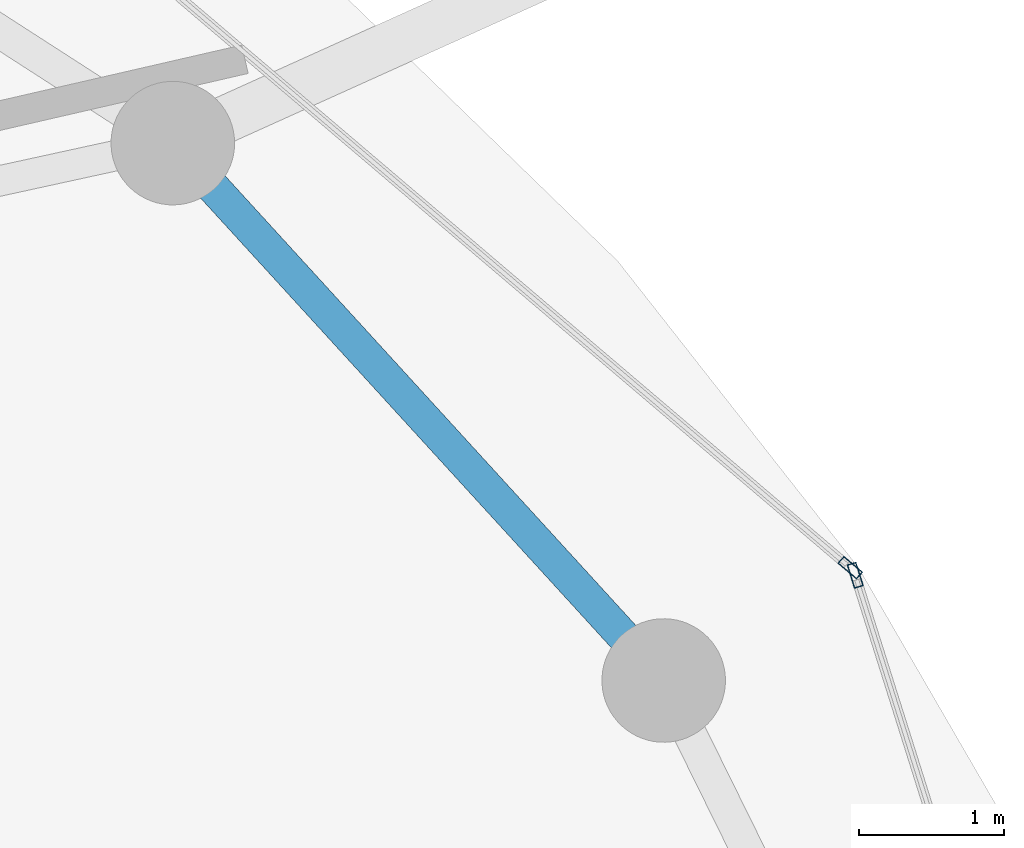
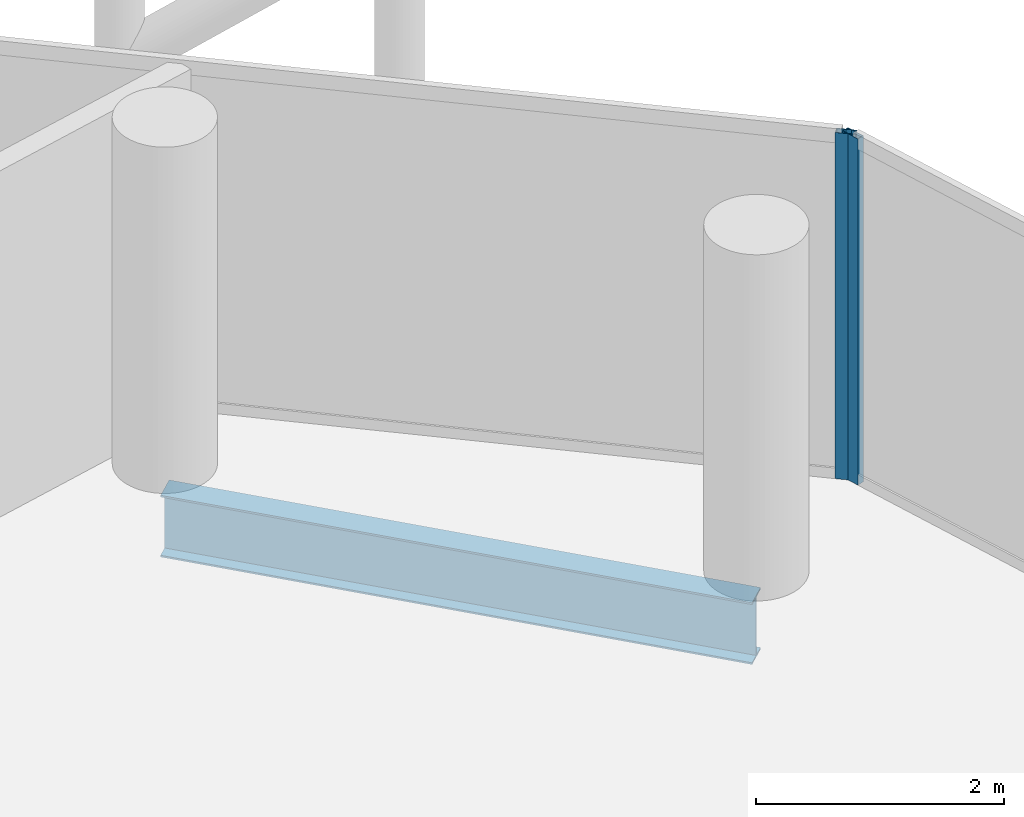
# One storey, part 17 of 27: 2 members, 1 beam, 2 elements without a shape of their own.
"""IFC4 building model written with IfcOpenShell, lengths in metres."""

from ifc_helpers import new_model, si_unit, direction, frame, origin, origin_2d, place, context, subcontext, project, spatial, hollow_rectangle, i_section, extrude, material, layer, layer_set, material_profile, profile_set, type_object, element, aggregate, save


model = new_model("IFC4")

# Units and contexts
model_context = context("Model", 3, precision=1e-05, world=origin(), true_north=direction((0.0, 1.0)))
body_context = subcontext(model_context, "Body", "Model", "MODEL_VIEW")
ifc_project = project(units=[si_unit("LENGTHUNIT", "METRE"), si_unit("AREAUNIT", "SQUARE_METRE"), si_unit("VOLUMEUNIT", "CUBIC_METRE"), si_unit("PLANEANGLEUNIT", "RADIAN"), si_unit("MASSUNIT", "GRAM", prefix="KILO")], contexts=[model_context])

# Site, building, storey
site_placement = place(None, origin())
site = spatial("IfcSite", under=ifc_project, at=site_placement, CompositionType="ELEMENT")
building_placement = place(site_placement, origin())
building = spatial("IfcBuilding", under=site, at=building_placement, Name="Nuhasar Tower", CompositionType="ELEMENT")
storey_placement = place(building_placement, frame((0.0, 0.0, 208.14990234375)))
storey = spatial("IfcBuildingStorey", under=building, at=storey_placement, Name="L50", CompositionType="ELEMENT", Elevation=208.14990234375)

# Beam
ifc_material_1 = material(Name="Steel S355", Category="steel")
ifc_material_profile_1 = material_profile(ifc_material_1, i_section(OverallWidth=0.22802734375, OverallDepth=0.60791015625, WebThickness=0.01123046875, FlangeThickness=0.017333984375, at=origin_2d()), Name="W24X76")
ifc_profile_set_1 = profile_set([ifc_material_profile_1], Name="Steel S355")
beam_type = type_object("IfcBeamType", Name="BM-RING-W24X76", PredefinedType="SPANDREL", material=ifc_profile_set_1)
beam_placement = place(storey_placement, frame((57.403076171875, 35.72509765625, -0.5439453125), z_axis=(-0.674449692975, 0.738320805373, 0.0), x_axis=(-0.738320805373, -0.674449692975, 0.0)))
element("IfcBeam", 1, at=beam_placement, inside=storey, type_object=beam_type, Name="L50 Perimeter Ring Spandrel 03", PredefinedType="SPANDREL", context=body_context, shape_type="SweptSolid", body=[
    extrude(i_section(OverallWidth=0.22802734375, OverallDepth=0.60791015625, WebThickness=0.01123046875, FlangeThickness=0.017333984375, at=origin_2d()), origin(), (0.0, 0.0, 1.0), 5.00732421875),
])

# Curtain wall, member
ifc_material_2 = material(Name="Aluminium 6063-T6", Category="aluminium")
ifc_layer = layer(ifc_material_2, 0.18994140625)
ifc_layer_set = layer_set([ifc_layer], Name="Aluminium 6063-T6")
curtain_wall_type = type_object("IfcCurtainWallType", Name="CW-Z3-RES", PredefinedType="NOTDEFINED", material=ifc_layer_set)
curtain_wall_1_placement = place(storey_placement, origin())
curtain_wall_1 = element("IfcCurtainWall", 2, at=curtain_wall_1_placement, inside=storey, type_object=curtain_wall_type, Name="L50 Unitised Curtain Wall 01", PredefinedType="NOTDEFINED")
ifc_material_profile_2 = material_profile(ifc_material_2, hollow_rectangle(XDim=0.06494140625, YDim=0.169921875, WallThickness=0.0048828125, at=origin_2d()), Name="CWM-4")
ifc_profile_set_2 = profile_set([ifc_material_profile_2], Name="Aluminium 6063-T6")
member_type = type_object("IfcMemberType", Name="CW-MUL-S4", PredefinedType="MULLION", material=ifc_profile_set_2)
member_1_placement = place(storey_placement, frame((58.720703125, 36.448974609375, 0.0), z_axis=(0.0, 0.0, 1.0), x_axis=(-0.95380429279, -0.30042864553, 0.0)))
member_1 = element("IfcMember", 3, at=member_1_placement, type_object=member_type, Name="CW-Z3 mullion 2", PredefinedType="MULLION", context=body_context, shape_type="SweptSolid", body=[
    extrude(hollow_rectangle(XDim=0.06494140625, YDim=0.169921875, WallThickness=0.0048828125, at=origin_2d()), origin(), (0.0, 0.0, 1.0), 3.41015625),
])
aggregate(curtain_wall_1, [member_1])

curtain_wall_2_placement = place(storey_placement, origin())
curtain_wall_2 = element("IfcCurtainWall", 4, at=curtain_wall_2_placement, inside=storey, type_object=curtain_wall_type, Name="L50 Unitised Curtain Wall 02", PredefinedType="NOTDEFINED")
member_2_placement = place(storey_placement, frame((58.686279296875, 36.5009765625, 0.0), z_axis=(0.0, 0.0, 1.0), x_axis=(-0.64789521578, -0.761729472562, 0.0)))
member_2 = element("IfcMember", 5, at=member_2_placement, type_object=member_type, Name="CW-Z3 mullion 1", PredefinedType="MULLION", context=body_context, shape_type="SweptSolid", body=[
    extrude(hollow_rectangle(XDim=0.06494140625, YDim=0.169921875, WallThickness=0.0048828125, at=origin_2d()), origin(), (0.0, 0.0, 1.0), 3.41015625),
])
aggregate(curtain_wall_2, [member_2])

save(model, "model.ifc")
